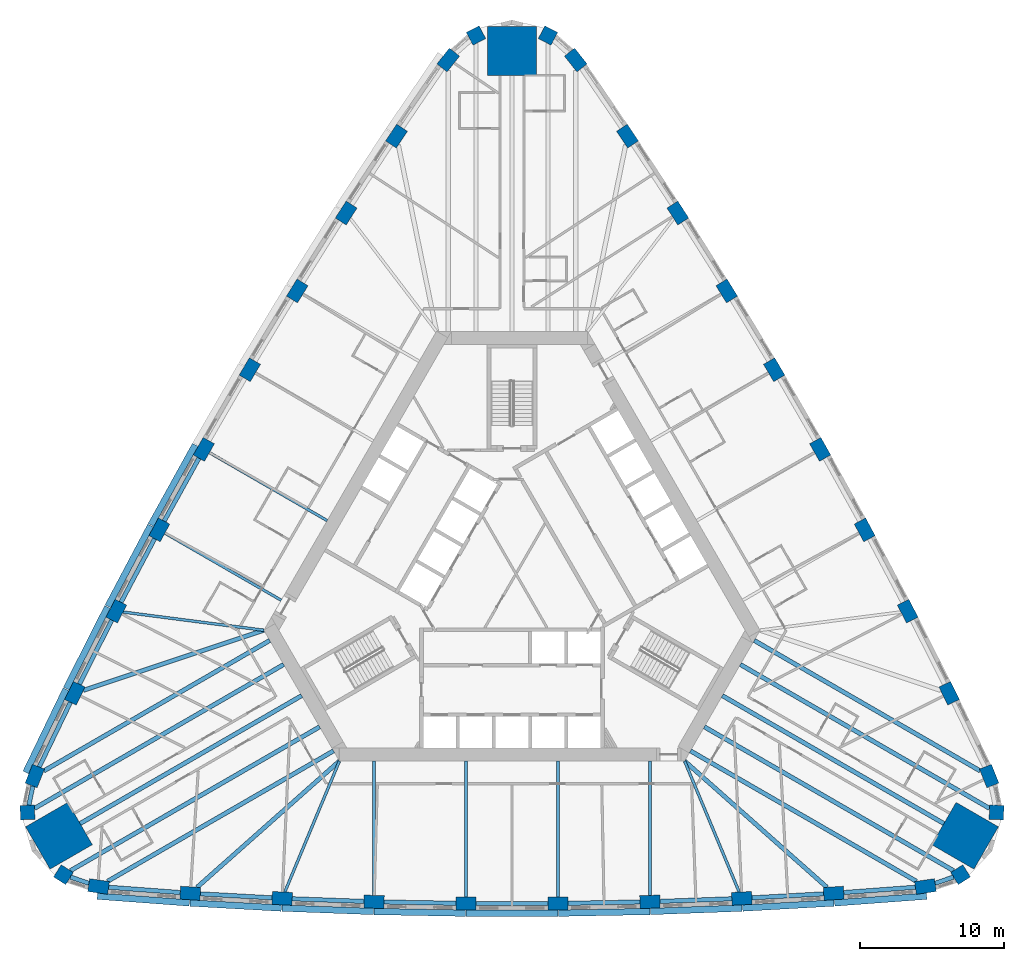
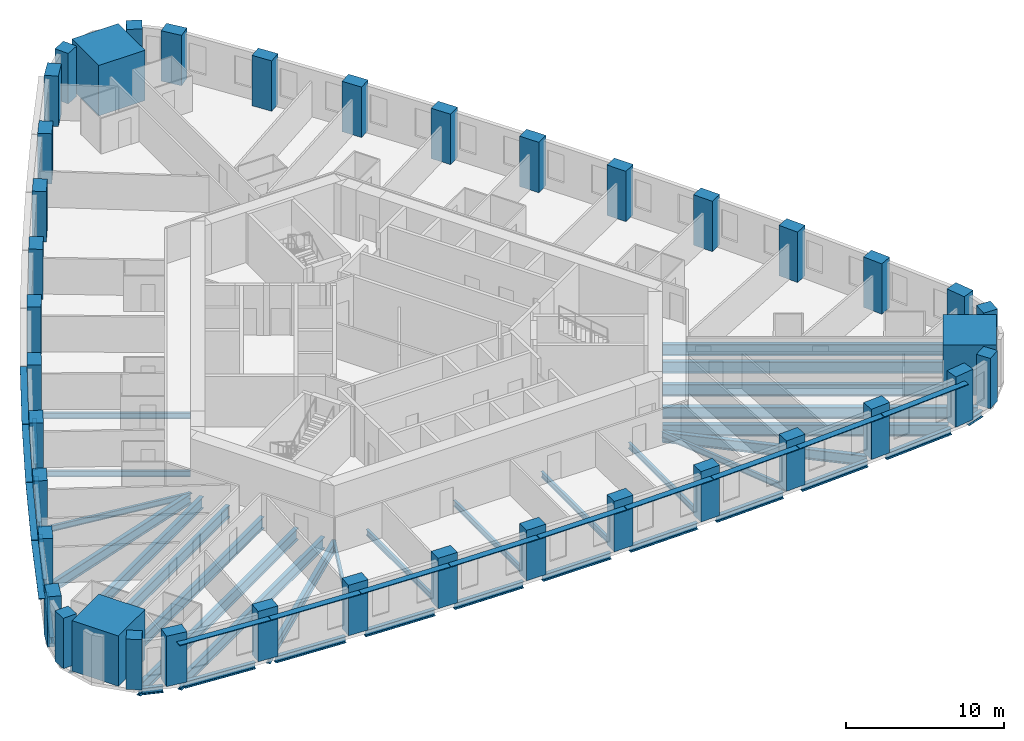
# One storey, part 1 of 12: 39 columns, 38 beams, 13 members.
"""IFC4 building model written with IfcOpenShell, lengths in metres."""

from ifc_helpers import new_model, si_unit, direction, frame, origin, origin_2d, place, context, subcontext, project, spatial, rectangle, i_section, extrude, material, material_profile, profile_set, type_object, element, save


model = new_model("IFC4")

# Units and contexts
model_context = context("Model", 3, precision=1e-05, world=origin(), true_north=direction((0.0, 1.0)))
body_context = subcontext(model_context, "Body", "Model", "MODEL_VIEW")
ifc_project = project(units=[si_unit("LENGTHUNIT", "METRE"), si_unit("AREAUNIT", "SQUARE_METRE"), si_unit("VOLUMEUNIT", "CUBIC_METRE"), si_unit("PLANEANGLEUNIT", "RADIAN"), si_unit("MASSUNIT", "GRAM", prefix="KILO")], contexts=[model_context])

# Site, building, storey
site_placement = place(None, origin())
site = spatial("IfcSite", under=ifc_project, at=site_placement, CompositionType="ELEMENT")
building_placement = place(site_placement, origin())
building = spatial("IfcBuilding", under=site, at=building_placement, Name="Mestral Congress Tower", CompositionType="ELEMENT")
storey_placement = place(building_placement, frame((0.0, 0.0, 47.10009765625)))
storey = spatial("IfcBuildingStorey", under=building, at=storey_placement, Name="L10", CompositionType="ELEMENT", Elevation=47.10009765625)

# Columns
ifc_material_1 = material(Name="Concrete C70/85", Category="concrete")
ifc_material_profile_1 = material_profile(ifc_material_1, rectangle(XDim=1.0, YDim=1.0, at=origin_2d()), Name="RC 1000x1000")
ifc_profile_set_1 = profile_set([ifc_material_profile_1], Name="Concrete C70/85")
column_type_1 = type_object("IfcColumnType", Name="Column RC 1000x1000 C70/85", PredefinedType="COLUMN", material=ifc_profile_set_1)
for number, where, z_axis, x_axis, name in (
    (1, (31.210205078125, -20.90966796875, 0.0), (0.0, 0.0, 1.0), (0.844485001826, 0.535579202071, 0.0), "COL-L10-C1-SE1"),
    (2, (33.71337890625, -16.573974609375, 0.0), (0.0, 0.0, 1.0), (0.041582693819, 0.999135065732, 0.0), "COL-L10-C1-SE3"),
    (3, (2.503173828125, 37.483642578125, 0.0), (0.0, 0.0, 1.0), (-0.886067695645, 0.463555863661, 0.0), "COL-L10-C1-N1"),
    (4, (-2.503173828125, 37.483642578125, 0.0), (0.0, 0.0, 1.0), (-0.886067695645, -0.463555863661, 0.0), "COL-L10-C1-N3"),
    (5, (-33.71337890625, -16.573974609375, 0.0), (0.0, 0.0, 1.0), (0.041582693819, -0.999135065732, 0.0), "COL-L10-C1-SW1"),
    (6, (-31.210205078125, -20.90966796875, 0.0), (0.0, 0.0, 1.0), (0.844485001826, -0.535579202071, 0.0), "COL-L10-C1-SW3"),
):
    element("IfcColumn", number, at=place(storey_placement, frame(where, z_axis=z_axis, x_axis=x_axis)), inside=storey, type_object=column_type_1, Name=name, PredefinedType="COLUMN", context=body_context, shape_type="SweptSolid", body=[
        extrude(rectangle(XDim=1.0, YDim=1.0, at=origin_2d()), origin(), (0.0, 0.0, 1.0), 3.89990234375),
    ])
ifc_material_profile_2 = material_profile(ifc_material_1, rectangle(XDim=1.39990234375, YDim=0.89990234375, at=origin_2d()), Name="RC 1400x900")
ifc_profile_set_2 = profile_set([ifc_material_profile_2], Name="Concrete C70/85")
column_type_2 = type_object("IfcColumnType", Name="Column RC 1400x900 C70/85", PredefinedType="COLUMN", material=ifc_profile_set_2)
for number, where, z_axis, x_axis, name in (
    (7, (-28.766845703125, -21.730712890625, 0.0), (0.0, 0.0, 1.0), (0.989423502484, -0.145055619443, 0.0), "COL-L10-C1-S00"),
    (8, (-22.384521484375, -22.20361328125, 0.0), (0.0, 0.0, 1.0), (0.997907501024, -0.064657709518, 0.0), "COL-L10-C1-S01"),
    (9, (-15.994384765625, -22.558349609375, 0.0), (0.0, 0.0, 1.0), (0.998932216029, -0.04619986774, 0.0), "COL-L10-C1-S02"),
    (10, (-9.598876953125, -22.794921875, 0.0), (0.0, 0.0, 1.0), (0.999615553977, -0.027726237529, 0.0), "COL-L10-C1-S03"),
    (11, (-3.199951171875, -22.9130859375, 0.0), (0.0, 0.0, 1.0), (0.999957281342, -0.009243132098, 0.0), "COL-L10-C1-S04"),
    (12, (3.199951171875, -22.9130859375, 0.0), (0.0, 0.0, 1.0), (0.999957281342, 0.009243132098, 0.0), "COL-L10-C1-S05"),
    (13, (9.598876953125, -22.794921875, 0.0), (0.0, 0.0, 1.0), (0.999615553977, 0.027726237529, 0.0), "COL-L10-C1-S06"),
    (14, (15.994384765625, -22.558349609375, 0.0), (0.0, 0.0, 1.0), (0.998932216029, 0.04619986774, 0.0), "COL-L10-C1-S07"),
    (15, (22.384521484375, -22.20361328125, 0.0), (0.0, 0.0, 1.0), (0.997907501024, 0.064657709518, 0.0), "COL-L10-C1-S08"),
    (16, (28.766845703125, -21.730712890625, 0.0), (0.0, 0.0, 1.0), (0.989423502484, 0.145055619443, 0.0), "COL-L10-C1-S09"),
    (17, (33.202880859375, -14.04736328125, 0.0), (0.0, 0.0, 1.0), (-0.369089899843, 0.929393697974, 0.0), "COL-L10-C1-E00"),
    (18, (30.421142578125, -8.28369140625, 0.0), (0.0, 0.0, 1.0), (-0.442958531519, 0.896542101273, 0.0), "COL-L10-C1-E01"),
    (19, (27.533203125, -2.572265625, 0.0), (0.0, 0.0, 1.0), (-0.4594558489, 0.88820060961, 0.0), "COL-L10-C1-E02"),
    (20, (24.540283203125, 3.084716796875, 0.0), (0.0, 0.0, 1.0), (-0.475796150937, 0.879555582526, 0.0), "COL-L10-C1-E03"),
    (21, (21.443359375, 8.685302734375, 0.0), (0.0, 0.0, 1.0), (-0.491973853463, 0.870609974391, 0.0), "COL-L10-C1-E04"),
    (22, (18.243408203125, 14.227783203125, 0.0), (0.0, 0.0, 1.0), (-0.507983427879, 0.861366842292, 0.0), "COL-L10-C1-E05"),
    (23, (14.941650390625, 19.710205078125, 0.0), (0.0, 0.0, 1.0), (-0.52381940304, 0.851829344998, 0.0), "COL-L10-C1-E06"),
    (24, (11.5390625, 25.130615234375, 0.0), (0.0, 0.0, 1.0), (-0.539476367129, 0.84200074187, 0.0), "COL-L10-C1-E07"),
    (25, (8.03662109375, 30.4873046875, 0.0), (0.0, 0.0, 1.0), (-0.554948969505, 0.831884391755, 0.0), "COL-L10-C1-E08"),
    (26, (4.43603515625, 35.7783203125, 0.0), (0.0, 0.0, 1.0), (-0.620333602641, 0.784338078531, 0.0), "COL-L10-C1-E09"),
    (27, (-4.43603515625, 35.7783203125, 0.0), (0.0, 0.0, 1.0), (-0.620333602641, -0.784338078531, 0.0), "COL-L10-C1-W00"),
    (28, (-8.03662109375, 30.4873046875, 0.0), (0.0, 0.0, 1.0), (-0.554948969505, -0.831884391755, 0.0), "COL-L10-C1-W01"),
    (29, (-11.5390625, 25.130615234375, 0.0), (0.0, 0.0, 1.0), (-0.539476367129, -0.84200074187, 0.0), "COL-L10-C1-W02"),
    (30, (-14.941650390625, 19.710205078125, 0.0), (0.0, 0.0, 1.0), (-0.52381940304, -0.851829344998, 0.0), "COL-L10-C1-W03"),
    (31, (-18.243408203125, 14.227783203125, 0.0), (0.0, 0.0, 1.0), (-0.507983427879, -0.861366842292, 0.0), "COL-L10-C1-W04"),
    (32, (-21.443359375, 8.685302734375, 0.0), (0.0, 0.0, 1.0), (-0.491973853463, -0.870609974391, 0.0), "COL-L10-C1-W05"),
    (33, (-24.540283203125, 3.084716796875, 0.0), (0.0, 0.0, 1.0), (-0.475796150937, -0.879555582526, 0.0), "COL-L10-C1-W06"),
    (34, (-27.533203125, -2.572265625, 0.0), (0.0, 0.0, 1.0), (-0.4594558489, -0.88820060961, 0.0), "COL-L10-C1-W07"),
    (35, (-30.421142578125, -8.28369140625, 0.0), (0.0, 0.0, 1.0), (-0.442958531519, -0.896542101273, 0.0), "COL-L10-C1-W08"),
    (36, (-33.202880859375, -14.04736328125, 0.0), (0.0, 0.0, 1.0), (-0.369089899843, -0.929393697974, 0.0), "COL-L10-C1-W09"),
):
    element("IfcColumn", number, at=place(storey_placement, frame(where, z_axis=z_axis, x_axis=x_axis)), inside=storey, type_object=column_type_2, Name=name, PredefinedType="COLUMN", context=body_context, shape_type="SweptSolid", body=[
        extrude(rectangle(XDim=1.39990234375, YDim=0.89990234375, at=origin_2d()), origin(), (0.0, 0.0, 1.0), 3.89990234375),
    ])
ifc_material_2 = material(Name="Concrete C80/95", Category="concrete")
ifc_material_profile_3 = material_profile(ifc_material_2, rectangle(XDim=3.39990234375, YDim=3.39990234375, at=origin_2d()), Name="RC 3400x3400")
ifc_profile_set_3 = profile_set([ifc_material_profile_3], Name="Concrete C80/95")
column_type_3 = type_object("IfcColumnType", Name="Mega column RC 3400x3400 C80/95", PredefinedType="COLUMN", material=ifc_profile_set_3)
for number, where, z_axis, x_axis, name in (
    (37, (31.5224609375, -18.199462890625, 0.0), (0.0, 0.0, 1.0), (0.866025403784, -0.5, 0.0), "COL-L10-PY1-SE"),
    (38, (0.0, 36.39892578125, 0.0), (0.0, 0.0, 1.0), (0.0, 1.0, 0.0), "COL-L10-PY1-N"),
    (39, (-31.5224609375, -18.199462890625, 0.0), (0.0, 0.0, 1.0), (-0.866025403784, -0.5, 0.0), "COL-L10-PY1-SW"),
):
    element("IfcColumn", number, at=place(storey_placement, frame(where, z_axis=z_axis, x_axis=x_axis)), inside=storey, type_object=column_type_3, Name=name, PredefinedType="COLUMN", context=body_context, shape_type="SweptSolid", body=[
        extrude(rectangle(XDim=3.39990234375, YDim=3.39990234375, at=origin_2d()), origin(), (0.0, 0.0, 1.0), 3.89990234375),
    ])

# Members
ifc_material_3 = material(Name="Glazed ceramic", Category="masonry")
ifc_material_profile_4 = material_profile(ifc_material_3, rectangle(XDim=0.449951171875, YDim=0.06005859375, at=origin_2d()), Name="Ceramic blade 450 x 60")
ifc_profile_set_4 = profile_set([ifc_material_profile_4], Name="Glazed ceramic")
member_type = type_object("IfcMemberType", Name="Facade sunshade blade 450 x 60", PredefinedType="USERDEFINED", material=ifc_profile_set_4)
member_1_placement = place(storey_placement, frame((-28.853271484375, -22.4013671875, 3.27978515625), z_axis=(0.997269829073, -0.073843672858, 0.0), x_axis=(0.073843672858, 0.997269829073, 0.0)))
element("IfcMember", 40, at=member_1_placement, inside=storey, type_object=member_type, Name="Sunshade F0-00", ObjectType="SUNSHADE", PredefinedType="USERDEFINED", context=body_context, shape_type="SweptSolid", body=[
    extrude(rectangle(XDim=0.449951171875, YDim=0.06005859375, at=origin_2d()), origin(), (0.0, 0.0, 1.0), 6.420654296875),
])
member_2_placement = place(storey_placement, frame((-22.406005859375, -22.87841796875, 3.27978515625), z_axis=(0.998462240013, -0.055436046654, 0.0), x_axis=(0.055436046654, 0.998462240013, 0.0)))
element("IfcMember", 41, at=member_2_placement, inside=storey, type_object=member_type, Name="Sunshade F0-01", ObjectType="SUNSHADE", PredefinedType="USERDEFINED", context=body_context, shape_type="SweptSolid", body=[
    extrude(rectangle(XDim=0.449951171875, YDim=0.06005859375, at=origin_2d()), origin(), (0.0, 0.0, 1.0), 6.3681640625),
])
member_3_placement = place(storey_placement, frame((-16.00341796875, -23.2333984375, 3.27978515625), z_axis=(0.99931546381, -0.036994645436, 0.0), x_axis=(0.036994645436, 0.99931546381, 0.0)))
element("IfcMember", 42, at=member_3_placement, inside=storey, type_object=member_type, Name="Sunshade F0-02", ObjectType="SUNSHADE", PredefinedType="USERDEFINED", context=body_context, shape_type="SweptSolid", body=[
    extrude(rectangle(XDim=0.449951171875, YDim=0.06005859375, at=origin_2d()), origin(), (0.0, 0.0, 1.0), 6.368408203125),
])
for number, where, z_axis, x_axis, name in (
    (43, (-9.595458984375, -23.47021484375, 3.27978515625), (0.99982925906, -0.018478439527, 0.0), (0.018478439527, 0.99982925906, 0.0), "Sunshade F0-03"),
    (44, (-3.18408203125, -23.588134765625, 3.27978515625), (1.0, 0.0, 0.0), (0.0, 1.0, 0.0), "Sunshade F0-04"),
    (45, (3.228271484375, -23.587890625, 3.27978515625), (0.99982925906, 0.018478439527, 0.0), (-0.018478439527, 0.99982925906, 0.0), "Sunshade F0-05"),
):
    element("IfcMember", number, at=place(storey_placement, frame(where, z_axis=z_axis, x_axis=x_axis)), inside=storey, type_object=member_type, Name=name, ObjectType="SUNSHADE", PredefinedType="USERDEFINED", context=body_context, shape_type="SweptSolid", body=[
        extrude(rectangle(XDim=0.449951171875, YDim=0.06005859375, at=origin_2d()), origin(), (0.0, 0.0, 1.0), 6.3681640625),
    ])
member_4_placement = place(storey_placement, frame((9.639404296875, -23.468994140625, 3.27978515625), z_axis=(0.99931546381, 0.036994645436, 0.0), x_axis=(-0.036994645436, 0.99931546381, 0.0)))
element("IfcMember", 46, at=member_4_placement, inside=storey, type_object=member_type, Name="Sunshade F0-06", ObjectType="SUNSHADE", PredefinedType="USERDEFINED", context=body_context, shape_type="SweptSolid", body=[
    extrude(rectangle(XDim=0.449951171875, YDim=0.06005859375, at=origin_2d()), origin(), (0.0, 0.0, 1.0), 6.368408203125),
])
member_5_placement = place(storey_placement, frame((16.047607421875, -23.2314453125, 3.27978515625), z_axis=(0.998462240013, 0.055436046654, 0.0), x_axis=(-0.055436046654, 0.998462240013, 0.0)))
element("IfcMember", 47, at=member_5_placement, inside=storey, type_object=member_type, Name="Sunshade F0-07", ObjectType="SUNSHADE", PredefinedType="USERDEFINED", context=body_context, shape_type="SweptSolid", body=[
    extrude(rectangle(XDim=0.449951171875, YDim=0.06005859375, at=origin_2d()), origin(), (0.0, 0.0, 1.0), 6.3681640625),
])
member_6_placement = place(storey_placement, frame((22.4501953125, -22.87548828125, 3.27978515625), z_axis=(0.997269829073, 0.073843672858, 0.0), x_axis=(-0.073843672858, 0.997269829073, 0.0)))
element("IfcMember", 48, at=member_6_placement, inside=storey, type_object=member_type, Name="Sunshade F0-08", ObjectType="SUNSHADE", PredefinedType="USERDEFINED", context=body_context, shape_type="SweptSolid", body=[
    extrude(rectangle(XDim=0.449951171875, YDim=0.06005859375, at=origin_2d()), origin(), (0.0, 0.0, 1.0), 6.420654296875),
])
for number, where, z_axis, x_axis, name in (
    (49, (-22.041748046875, 8.998291015625, 3.27978515625), (-0.483893994258, -0.875126620736, 0.0), (0.875126620736, -0.483893994258, 0.0), "Sunshade F2-05"),
    (50, (-25.144287109375, 3.38623046875, 3.27978515625), (-0.467674573128, -0.883900726128, 0.0), (0.883900726128, -0.467674573128, 0.0), "Sunshade F2-06"),
    (51, (-28.142822265625, -2.28173828125, 3.27978515625), (-0.451226804026, -0.892409307061, 0.0), (0.892409307061, -0.451226804026, 0.0), "Sunshade F2-07"),
):
    element("IfcMember", number, at=place(storey_placement, frame(where, z_axis=z_axis, x_axis=x_axis)), inside=storey, type_object=member_type, Name=name, ObjectType="SUNSHADE", PredefinedType="USERDEFINED", context=body_context, shape_type="SweptSolid", body=[
        extrude(rectangle(XDim=0.449951171875, YDim=0.06005859375, at=origin_2d()), origin(), (0.0, 0.0, 1.0), 6.3681640625),
    ])
member_7_placement = place(storey_placement, frame((-31.035888671875, -8.00439453125, 3.27978515625), z_axis=(-0.434637414368, -0.900605528537, 0.0), x_axis=(0.900605528537, -0.434637414368, 0.0)))
element("IfcMember", 52, at=member_7_placement, inside=storey, type_object=member_type, Name="Sunshade F2-08", ObjectType="SUNSHADE", PredefinedType="USERDEFINED", context=body_context, shape_type="SweptSolid", body=[
    extrude(rectangle(XDim=0.449951171875, YDim=0.06005859375, at=origin_2d()), origin(), (0.0, 0.0, 1.0), 6.4208984375),
])

# Beams
ifc_material_4 = material(Name="Steel S355", Category="steel")
ifc_material_profile_5 = material_profile(ifc_material_4, i_section(OverallWidth=0.300048828125, OverallDepth=0.800048828125, WebThickness=0.017578125, FlangeThickness=0.032958984375, FilletRadius=0.030029296875, at=origin_2d()), Name="HEB 800")
ifc_profile_set_5 = profile_set([ifc_material_profile_5], Name="Steel S355")
beam_type_1 = type_object("IfcBeamType", Name="Floor beam HEB 800 S355", PredefinedType="BEAM", material=ifc_profile_set_5)
for number, where, z_axis, x_axis, name in (
    (53, (-21.91064453125, -21.783447265625, -0.650146484375), (0.748091770025, 0.663595286015, 0.0), (-0.663595286015, 0.748091770025, 0.0), "BM-L10-RB1-S01"),
    (54, (21.91064453125, -21.783447265625, -0.650146484375), (-0.748091770025, 0.663595286015, 0.0), (-0.663595286015, -0.748091770025, 0.0), "BM-L10-RB1-S08"),
    (55, (-29.8203125, -8.08349609375, -0.650146484375), (0.948734931285, 0.316072824141, 0.0), (-0.316072824141, 0.948734931285, 0.0), "BM-L10-RB1-W08"),
):
    element("IfcBeam", number, at=place(storey_placement, frame(where, z_axis=z_axis, x_axis=x_axis)), inside=storey, type_object=beam_type_1, Name=name, PredefinedType="BEAM", context=body_context, shape_type="SweptSolid", body=[
        extrude(i_section(OverallWidth=0.300048828125, OverallDepth=0.800048828125, WebThickness=0.017578125, FlangeThickness=0.032958984375, FilletRadius=0.030029296875, at=origin_2d()), origin(), (0.0, 0.0, 1.0), 13.236083984375),
    ])
ifc_material_profile_6 = material_profile(ifc_material_4, i_section(OverallWidth=0.300048828125, OverallDepth=0.89990234375, WebThickness=0.0185546875, FlangeThickness=0.034912109375, FilletRadius=0.030029296875, at=origin_2d()), Name="HEB 900")
ifc_profile_set_6 = profile_set([ifc_material_profile_6], Name="Steel S355")
beam_type_2 = type_object("IfcBeamType", Name="Floor beam HEB 900 S355", PredefinedType="BEAM", material=ifc_profile_set_6)
for number, where, z_axis, x_axis, name in (
    (56, (-28.138671875, -21.3681640625, -0.7001953125), (0.866027243369, 0.499996813733, 0.0), (-0.499996813733, 0.866027243369, 0.0), "BM-L10-RB1-S00"),
    (57, (28.138671875, -21.3681640625, -0.7001953125), (-0.866027243369, 0.499996813733, 0.0), (-0.499996813733, -0.866027243369, 0.0), "BM-L10-RB1-S09"),
):
    element("IfcBeam", number, at=place(storey_placement, frame(where, z_axis=z_axis, x_axis=x_axis)), inside=storey, type_object=beam_type_2, Name=name, PredefinedType="BEAM", context=body_context, shape_type="SweptSolid", body=[
        extrude(i_section(OverallWidth=0.300048828125, OverallDepth=0.89990234375, WebThickness=0.0185546875, FlangeThickness=0.034912109375, FilletRadius=0.030029296875, at=origin_2d()), origin(), (0.0, 0.0, 1.0), 18.15283203125),
    ])
beam_1_placement = place(storey_placement, frame((30.721435546875, -20.62744140625, -0.7001953125), z_axis=(-0.866027382289, 0.499996573113, 0.0), x_axis=(-0.499996573113, -0.866027382289, 0.0)))
element("IfcBeam", 58, at=beam_1_placement, inside=storey, type_object=beam_type_2, Name="BM-L10-RB1-SE1", PredefinedType="BEAM", context=body_context, shape_type="SweptSolid", body=[
    extrude(i_section(OverallWidth=0.300048828125, OverallDepth=0.89990234375, WebThickness=0.0185546875, FlangeThickness=0.034912109375, FilletRadius=0.030029296875, at=origin_2d()), origin(), (0.0, 0.0, 1.0), 20.019287109375),
])
beam_2_placement = place(storey_placement, frame((30.050048828125, -17.349609375, -0.7001953125), z_axis=(-0.866020438056, 0.500008600796, 0.0), x_axis=(-0.500008600796, -0.866020438056, 0.0)))
element("IfcBeam", 59, at=beam_2_placement, inside=storey, type_object=beam_type_2, Name="BM-L10-RB1-SE", PredefinedType="BEAM", context=body_context, shape_type="SweptSolid", body=[
    extrude(i_section(OverallWidth=0.300048828125, OverallDepth=0.89990234375, WebThickness=0.0185546875, FlangeThickness=0.034912109375, FilletRadius=0.030029296875, at=origin_2d()), origin(), (0.0, 0.0, 1.0), 17.799072265625),
])
beam_3_placement = place(storey_placement, frame((33.224609375, -16.291748046875, -0.7001953125), z_axis=(-0.866027382289, 0.499996573113, 0.0), x_axis=(-0.499996573113, -0.866027382289, 0.0)))
element("IfcBeam", 60, at=beam_3_placement, inside=storey, type_object=beam_type_2, Name="BM-L10-RB1-SE3", PredefinedType="BEAM", context=body_context, shape_type="SweptSolid", body=[
    extrude(i_section(OverallWidth=0.300048828125, OverallDepth=0.89990234375, WebThickness=0.0185546875, FlangeThickness=0.034912109375, FilletRadius=0.030029296875, at=origin_2d()), origin(), (0.0, 0.0, 1.0), 20.019287109375),
])
for number, where, z_axis, x_axis, name in (
    (61, (32.574462890625, -13.6845703125, -0.7001953125), (-0.866029704776, 0.49999255039, 0.0), (-0.49999255039, -0.866029704776, 0.0), "BM-L10-RB1-E00"),
    (62, (-32.574462890625, -13.6845703125, -0.7001953125), (0.866029704776, 0.49999255039, 0.0), (-0.49999255039, 0.866029704776, 0.0), "BM-L10-RB1-W09"),
):
    element("IfcBeam", number, at=place(storey_placement, frame(where, z_axis=z_axis, x_axis=x_axis)), inside=storey, type_object=beam_type_2, Name=name, PredefinedType="BEAM", context=body_context, shape_type="SweptSolid", body=[
        extrude(i_section(OverallWidth=0.300048828125, OverallDepth=0.89990234375, WebThickness=0.0185546875, FlangeThickness=0.034912109375, FilletRadius=0.030029296875, at=origin_2d()), origin(), (0.0, 0.0, 1.0), 18.152587890625),
    ])
beam_4_placement = place(storey_placement, frame((-33.224609375, -16.291748046875, -0.7001953125), z_axis=(0.866027382289, 0.499996573113, 0.0), x_axis=(-0.499996573113, 0.866027382289, 0.0)))
element("IfcBeam", 63, at=beam_4_placement, inside=storey, type_object=beam_type_2, Name="BM-L10-RB1-SW1", PredefinedType="BEAM", context=body_context, shape_type="SweptSolid", body=[
    extrude(i_section(OverallWidth=0.300048828125, OverallDepth=0.89990234375, WebThickness=0.0185546875, FlangeThickness=0.034912109375, FilletRadius=0.030029296875, at=origin_2d()), origin(), (0.0, 0.0, 1.0), 20.019287109375),
])
beam_5_placement = place(storey_placement, frame((-30.050048828125, -17.349609375, -0.7001953125), z_axis=(0.866020438056, 0.500008600796, 0.0), x_axis=(-0.500008600796, 0.866020438056, 0.0)))
element("IfcBeam", 64, at=beam_5_placement, inside=storey, type_object=beam_type_2, Name="BM-L10-RB1-SW", PredefinedType="BEAM", context=body_context, shape_type="SweptSolid", body=[
    extrude(i_section(OverallWidth=0.300048828125, OverallDepth=0.89990234375, WebThickness=0.0185546875, FlangeThickness=0.034912109375, FilletRadius=0.030029296875, at=origin_2d()), origin(), (0.0, 0.0, 1.0), 17.799072265625),
])
beam_6_placement = place(storey_placement, frame((-30.721435546875, -20.62744140625, -0.7001953125), z_axis=(0.866027382289, 0.499996573113, 0.0), x_axis=(-0.499996573113, 0.866027382289, 0.0)))
element("IfcBeam", 65, at=beam_6_placement, inside=storey, type_object=beam_type_2, Name="BM-L10-RB1-SW3", PredefinedType="BEAM", context=body_context, shape_type="SweptSolid", body=[
    extrude(i_section(OverallWidth=0.300048828125, OverallDepth=0.89990234375, WebThickness=0.0185546875, FlangeThickness=0.034912109375, FilletRadius=0.030029296875, at=origin_2d()), origin(), (0.0, 0.0, 1.0), 20.019287109375),
])
ifc_material_profile_7 = material_profile(ifc_material_4, i_section(OverallWidth=0.18994140625, OverallDepth=0.449951171875, WebThickness=0.009521484375, FlangeThickness=0.0146484375, FilletRadius=0.02099609375, at=origin_2d()), Name="IPE 450")
ifc_profile_set_7 = profile_set([ifc_material_profile_7], Name="Steel S355")
beam_type_3 = type_object("IfcBeamType", Name="Floor beam IPE 450 S355", PredefinedType="BEAM", material=ifc_profile_set_7)
beam_7_placement = place(storey_placement, frame((-15.81005859375, -22.116455078125, -0.47509765625), z_axis=(0.384852309441, 0.922978168711, 0.0), x_axis=(-0.922978168711, 0.384852309441, 0.0)))
element("IfcBeam", 66, at=beam_7_placement, inside=storey, type_object=beam_type_3, Name="BM-L10-RB1-S02", PredefinedType="BEAM", context=body_context, shape_type="SweptSolid", body=[
    extrude(i_section(OverallWidth=0.18994140625, OverallDepth=0.449951171875, WebThickness=0.009521484375, FlangeThickness=0.0146484375, FilletRadius=0.02099609375, at=origin_2d()), origin(), (0.0, 0.0, 1.0), 9.877197265625),
])
beam_8_placement = place(storey_placement, frame((-9.598876953125, -22.3447265625, -0.47509765625), z_axis=(0.0, 1.0, 0.0), x_axis=(-1.0, 0.0, 0.0)))
element("IfcBeam", 67, at=beam_8_placement, inside=storey, type_object=beam_type_3, Name="BM-L10-RB1-S03", PredefinedType="BEAM", context=body_context, shape_type="SweptSolid", body=[
    extrude(i_section(OverallWidth=0.18994140625, OverallDepth=0.449951171875, WebThickness=0.009521484375, FlangeThickness=0.0146484375, FilletRadius=0.02099609375, at=origin_2d()), origin(), (0.0, 0.0, 1.0), 9.3447265625),
])
for number, where, z_axis, x_axis, name in (
    (68, (-3.199951171875, -22.463134765625, -0.47509765625), (0.0, 1.0, 0.0), (-1.0, 0.0, 0.0), "BM-L10-RB1-S04"),
    (69, (3.199951171875, -22.463134765625, -0.47509765625), (0.0, 1.0, 0.0), (-1.0, 0.0, 0.0), "BM-L10-RB1-S05"),
):
    element("IfcBeam", number, at=place(storey_placement, frame(where, z_axis=z_axis, x_axis=x_axis)), inside=storey, type_object=beam_type_3, Name=name, PredefinedType="BEAM", context=body_context, shape_type="SweptSolid", body=[
        extrude(i_section(OverallWidth=0.18994140625, OverallDepth=0.449951171875, WebThickness=0.009521484375, FlangeThickness=0.0146484375, FilletRadius=0.02099609375, at=origin_2d()), origin(), (0.0, 0.0, 1.0), 9.463134765625),
    ])
beam_9_placement = place(storey_placement, frame((9.598876953125, -22.3447265625, -0.47509765625), z_axis=(0.0, 1.0, 0.0), x_axis=(-1.0, 0.0, 0.0)))
element("IfcBeam", 70, at=beam_9_placement, inside=storey, type_object=beam_type_3, Name="BM-L10-RB1-S06", PredefinedType="BEAM", context=body_context, shape_type="SweptSolid", body=[
    extrude(i_section(OverallWidth=0.18994140625, OverallDepth=0.449951171875, WebThickness=0.009521484375, FlangeThickness=0.0146484375, FilletRadius=0.02099609375, at=origin_2d()), origin(), (0.0, 0.0, 1.0), 9.3447265625),
])
beam_10_placement = place(storey_placement, frame((15.81005859375, -22.116455078125, -0.47509765625), z_axis=(-0.384852309441, 0.922978168711, 0.0), x_axis=(-0.922978168711, -0.384852309441, 0.0)))
element("IfcBeam", 71, at=beam_10_placement, inside=storey, type_object=beam_type_3, Name="BM-L10-RB1-S07", PredefinedType="BEAM", context=body_context, shape_type="SweptSolid", body=[
    extrude(i_section(OverallWidth=0.18994140625, OverallDepth=0.449951171875, WebThickness=0.009521484375, FlangeThickness=0.0146484375, FilletRadius=0.02099609375, at=origin_2d()), origin(), (0.0, 0.0, 1.0), 9.877197265625),
])
beam_11_placement = place(storey_placement, frame((-21.0537109375, 8.46044921875, -0.47509765625), z_axis=(0.866019749231, -0.500009793847, 0.0), x_axis=(0.500009793847, 0.866019749231, 0.0)))
element("IfcBeam", 72, at=beam_11_placement, inside=storey, type_object=beam_type_3, Name="BM-L10-RB1-W05", PredefinedType="BEAM", context=body_context, shape_type="SweptSolid", body=[
    extrude(i_section(OverallWidth=0.18994140625, OverallDepth=0.449951171875, WebThickness=0.009521484375, FlangeThickness=0.0146484375, FilletRadius=0.02099609375, at=origin_2d()), origin(), (0.0, 0.0, 1.0), 9.463134765625),
])
beam_12_placement = place(storey_placement, frame((-24.150634765625, 2.859619140625, -0.47509765625), z_axis=(0.866032011123, -0.499988555579, 0.0), x_axis=(0.499988555579, 0.866032011123, 0.0)))
element("IfcBeam", 73, at=beam_12_placement, inside=storey, type_object=beam_type_3, Name="BM-L10-RB1-W06", PredefinedType="BEAM", context=body_context, shape_type="SweptSolid", body=[
    extrude(i_section(OverallWidth=0.18994140625, OverallDepth=0.449951171875, WebThickness=0.009521484375, FlangeThickness=0.0146484375, FilletRadius=0.02099609375, at=origin_2d()), origin(), (0.0, 0.0, 1.0), 9.344970703125),
])
beam_13_placement = place(storey_placement, frame((-27.058349609375, -2.6337890625, -0.47509765625), z_axis=(0.99175011495, -0.128186229747, 0.0), x_axis=(0.128186229747, 0.99175011495, 0.0)))
element("IfcBeam", 74, at=beam_13_placement, inside=storey, type_object=beam_type_3, Name="BM-L10-RB1-W07", PredefinedType="BEAM", context=body_context, shape_type="SweptSolid", body=[
    extrude(i_section(OverallWidth=0.18994140625, OverallDepth=0.449951171875, WebThickness=0.009521484375, FlangeThickness=0.0146484375, FilletRadius=0.02099609375, at=origin_2d()), origin(), (0.0, 0.0, 1.0), 9.877197265625),
])
ifc_material_profile_8 = material_profile(ifc_material_4, i_section(OverallWidth=0.300048828125, OverallDepth=0.489990234375, WebThickness=0.011962890625, FlangeThickness=0.02294921875, FilletRadius=0.027099609375, at=origin_2d()), Name="HEA 500")
ifc_profile_set_8 = profile_set([ifc_material_profile_8], Name="Steel S355")
beam_type_4 = type_object("IfcBeamType", Name="Spandrel beam HEA 500 S355", PredefinedType="BEAM", material=ifc_profile_set_8)
beam_14_placement = place(storey_placement, frame((-28.06689453125, -21.78271484375, -0.4951171875), z_axis=(0.997268820599, -0.073857291181, 0.0), x_axis=(0.073857291181, 0.997268820599, 0.0)))
element("IfcBeam", 75, at=beam_14_placement, inside=storey, type_object=beam_type_4, Name="SP-L10-SB1-S00", PredefinedType="BEAM", context=body_context, shape_type="SweptSolid", body=[
    extrude(i_section(OverallWidth=0.300048828125, OverallDepth=0.489990234375, WebThickness=0.011962890625, FlangeThickness=0.02294921875, FilletRadius=0.027099609375, at=origin_2d()), origin(), (0.0, 0.0, 1.0), 4.998046875),
])
for number, where, z_axis, x_axis, name in (
    (76, (-21.685546875, -22.242431640625, -0.4951171875), (0.998463056415, -0.055421340426, 0.0), (0.055421340426, 0.998463056415, 0.0), "SP-L10-SB1-S01"),
    (77, (-15.294677734375, -22.584228515625, -0.4951171875), (0.999316571833, -0.036964702901, 0.0), (0.036964702901, 0.999316571833, 0.0), "SP-L10-SB1-S02"),
    (78, (-8.89892578125, -22.807861328125, -0.4951171875), (0.999829645984, -0.018457492, 0.0), (0.018457492, 0.999829645984, 0.0), "SP-L10-SB1-S03"),
):
    element("IfcBeam", number, at=place(storey_placement, frame(where, z_axis=z_axis, x_axis=x_axis)), inside=storey, type_object=beam_type_4, Name=name, PredefinedType="BEAM", context=body_context, shape_type="SweptSolid", body=[
        extrude(i_section(OverallWidth=0.300048828125, OverallDepth=0.489990234375, WebThickness=0.011962890625, FlangeThickness=0.02294921875, FilletRadius=0.027099609375, at=origin_2d()), origin(), (0.0, 0.0, 1.0), 4.999755859375),
    ])
beam_15_placement = place(storey_placement, frame((-2.5, -22.9130859375, -0.4951171875), z_axis=(1.0, 0.0, 0.0), x_axis=(0.0, 1.0, 0.0)))
element("IfcBeam", 79, at=beam_15_placement, inside=storey, type_object=beam_type_4, Name="SP-L10-SB1-S04", PredefinedType="BEAM", context=body_context, shape_type="SweptSolid", body=[
    extrude(i_section(OverallWidth=0.300048828125, OverallDepth=0.489990234375, WebThickness=0.011962890625, FlangeThickness=0.02294921875, FilletRadius=0.027099609375, at=origin_2d()), origin(), (0.0, 0.0, 1.0), 5.0),
])
for number, where, z_axis, x_axis, name in (
    (80, (3.89990234375, -22.900146484375, -0.4951171875), (0.999829645984, 0.018457492, 0.0), (-0.018457492, 0.999829645984, 0.0), "SP-L10-SB1-S05"),
    (81, (10.29833984375, -22.76904296875, -0.4951171875), (0.999316571833, 0.036964702901, 0.0), (-0.036964702901, 0.999316571833, 0.0), "SP-L10-SB1-S06"),
    (82, (16.693359375, -22.51953125, -0.4951171875), (0.998463056415, 0.055421340426, 0.0), (-0.055421340426, 0.998463056415, 0.0), "SP-L10-SB1-S07"),
):
    element("IfcBeam", number, at=place(storey_placement, frame(where, z_axis=z_axis, x_axis=x_axis)), inside=storey, type_object=beam_type_4, Name=name, PredefinedType="BEAM", context=body_context, shape_type="SweptSolid", body=[
        extrude(i_section(OverallWidth=0.300048828125, OverallDepth=0.489990234375, WebThickness=0.011962890625, FlangeThickness=0.02294921875, FilletRadius=0.027099609375, at=origin_2d()), origin(), (0.0, 0.0, 1.0), 4.999755859375),
    ])
beam_16_placement = place(storey_placement, frame((23.08251953125, -22.15185546875, -0.4951171875), z_axis=(0.997268820599, 0.073857291181, 0.0), x_axis=(-0.073857291181, 0.997268820599, 0.0)))
element("IfcBeam", 83, at=beam_16_placement, inside=storey, type_object=beam_type_4, Name="SP-L10-SB1-S08", PredefinedType="BEAM", context=body_context, shape_type="SweptSolid", body=[
    extrude(i_section(OverallWidth=0.300048828125, OverallDepth=0.489990234375, WebThickness=0.011962890625, FlangeThickness=0.02294921875, FilletRadius=0.027099609375, at=origin_2d()), origin(), (0.0, 0.0, 1.0), 4.998046875),
])
beam_17_placement = place(storey_placement, frame((29.441162109375, -21.504150390625, -0.4951171875), z_axis=(0.947921796083, 0.318503168762, 0.0), x_axis=(-0.318503168762, 0.947921796083, 0.0)))
element("IfcBeam", 84, at=beam_17_placement, inside=storey, type_object=beam_type_4, Name="SP-L10-SB1-S09", PredefinedType="BEAM", context=body_context, shape_type="SweptSolid", body=[
    extrude(i_section(OverallWidth=0.300048828125, OverallDepth=0.489990234375, WebThickness=0.011962890625, FlangeThickness=0.02294921875, FilletRadius=0.027099609375, at=origin_2d()), origin(), (0.0, 0.0, 1.0), 1.351318359375),
])
beam_18_placement = place(storey_placement, frame((-21.7822265625, 8.07275390625, -0.4951171875), z_axis=(-0.483900688062, -0.875122919419, 0.0), x_axis=(0.875122919419, -0.483900688062, 0.0)))
element("IfcBeam", 85, at=beam_18_placement, inside=storey, type_object=beam_type_4, Name="SP-L10-SB1-W05", PredefinedType="BEAM", context=body_context, shape_type="SweptSolid", body=[
    extrude(i_section(OverallWidth=0.300048828125, OverallDepth=0.489990234375, WebThickness=0.011962890625, FlangeThickness=0.02294921875, FilletRadius=0.027099609375, at=origin_2d()), origin(), (0.0, 0.0, 1.0), 4.999755859375),
])
beam_19_placement = place(storey_placement, frame((-24.86767578125, 2.4658203125, -0.4951171875), z_axis=(-0.467681307417, -0.883897162962, 0.0), x_axis=(0.883897162962, -0.467681307417, 0.0)))
element("IfcBeam", 86, at=beam_19_placement, inside=storey, type_object=beam_type_4, Name="SP-L10-SB1-W06", PredefinedType="BEAM", context=body_context, shape_type="SweptSolid", body=[
    extrude(i_section(OverallWidth=0.300048828125, OverallDepth=0.489990234375, WebThickness=0.011962890625, FlangeThickness=0.02294921875, FilletRadius=0.027099609375, at=origin_2d()), origin(), (0.0, 0.0, 1.0), 5.0),
])
beam_20_placement = place(storey_placement, frame((-27.84912109375, -3.197021484375, -0.4951171875), z_axis=(-0.45123261425, -0.892406369227, 0.0), x_axis=(0.892406369227, -0.45123261425, 0.0)))
element("IfcBeam", 87, at=beam_20_placement, inside=storey, type_object=beam_type_4, Name="SP-L10-SB1-W07", PredefinedType="BEAM", context=body_context, shape_type="SweptSolid", body=[
    extrude(i_section(OverallWidth=0.300048828125, OverallDepth=0.489990234375, WebThickness=0.011962890625, FlangeThickness=0.02294921875, FilletRadius=0.027099609375, at=origin_2d()), origin(), (0.0, 0.0, 1.0), 4.999755859375),
])
beam_21_placement = place(storey_placement, frame((-30.725341796875, -8.9140625, -0.4951171875), z_axis=(-0.434645244295, -0.900601749727, 0.0), x_axis=(0.900601749727, -0.434645244295, 0.0)))
element("IfcBeam", 88, at=beam_21_placement, inside=storey, type_object=beam_type_4, Name="SP-L10-SB1-W08", PredefinedType="BEAM", context=body_context, shape_type="SweptSolid", body=[
    extrude(i_section(OverallWidth=0.300048828125, OverallDepth=0.489990234375, WebThickness=0.011962890625, FlangeThickness=0.02294921875, FilletRadius=0.027099609375, at=origin_2d()), origin(), (0.0, 0.0, 1.0), 4.998046875),
])
beam_22_placement = place(storey_placement, frame((-33.34375, -14.74462890625, -0.4951171875), z_axis=(-0.197991750859, -0.980203686277, 0.0), x_axis=(0.980203686277, -0.197991750859, 0.0)))
element("IfcBeam", 89, at=beam_22_placement, inside=storey, type_object=beam_type_4, Name="SP-L10-SB1-W09", PredefinedType="BEAM", context=body_context, shape_type="SweptSolid", body=[
    extrude(i_section(OverallWidth=0.300048828125, OverallDepth=0.489990234375, WebThickness=0.011962890625, FlangeThickness=0.02294921875, FilletRadius=0.027099609375, at=origin_2d()), origin(), (0.0, 0.0, 1.0), 1.3515625),
])
beam_23_placement = place(storey_placement, frame((-30.72216796875, -21.07373046875, -0.4951171875), z_axis=(0.947921796083, -0.318503168762, 0.0), x_axis=(0.318503168762, 0.947921796083, 0.0)))
element("IfcBeam", 90, at=beam_23_placement, inside=storey, type_object=beam_type_4, Name="SP-L10-SB1-SW3", PredefinedType="BEAM", context=body_context, shape_type="SweptSolid", body=[
    extrude(i_section(OverallWidth=0.300048828125, OverallDepth=0.489990234375, WebThickness=0.011962890625, FlangeThickness=0.02294921875, FilletRadius=0.027099609375, at=origin_2d()), origin(), (0.0, 0.0, 1.0), 1.351318359375),
])

save(model, "model.ifc")
